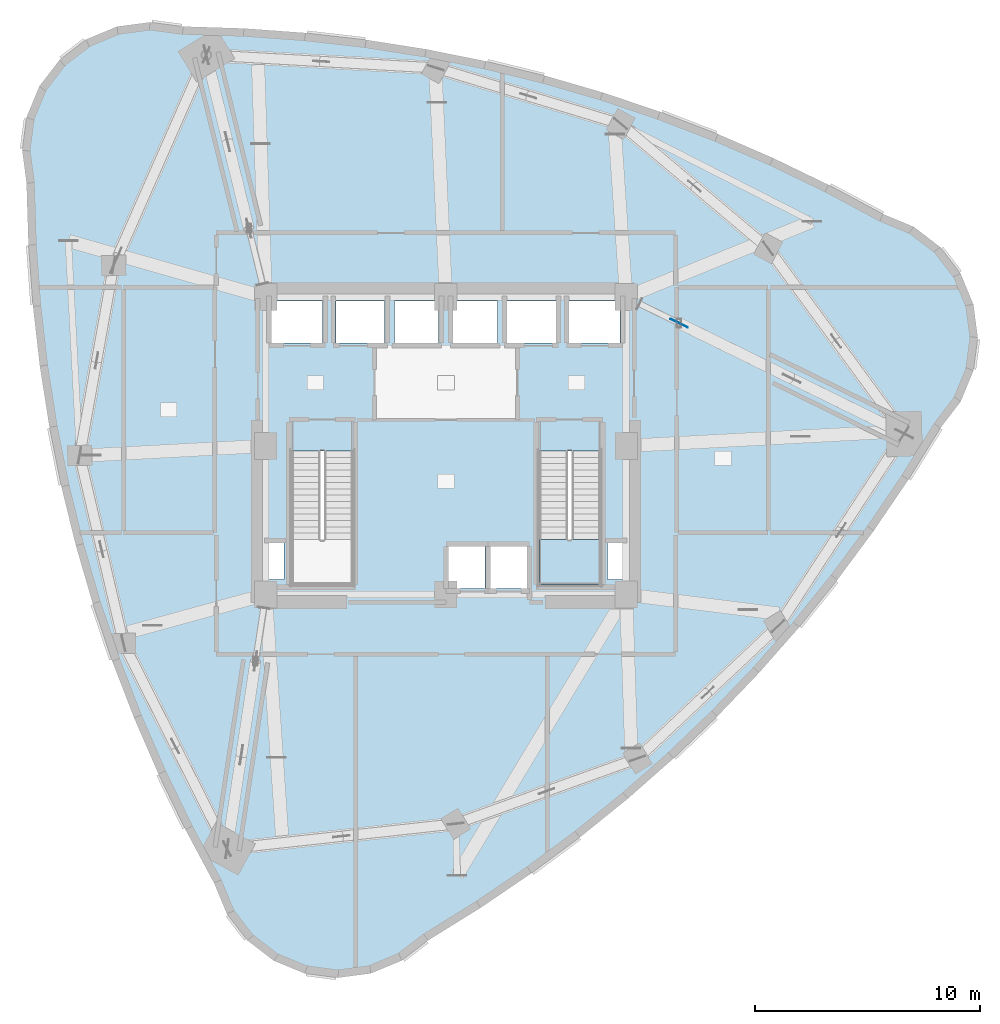
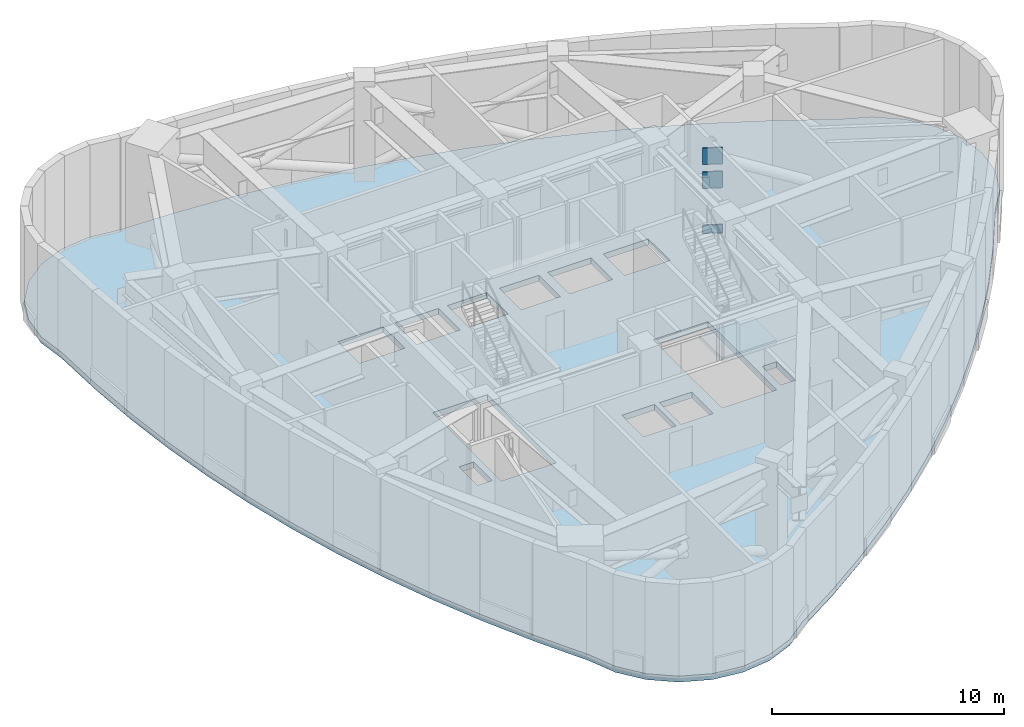
# One storey, part 5 of 12: 3 plates, 2 slabs, 1 element without a shape of its own.
"""IFC4 building model written with IfcOpenShell, lengths in metres."""

from ifc_helpers import new_model, si_unit, direction, frame, origin, origin_2d, place, context, subcontext, project, spatial, polyline, rectangle, outline, extrude, material, layer, layer_set, type_object, element, aggregate, save


model = new_model("IFC4")

# Units and contexts
model_context = context("Model", 3, precision=1e-05, world=origin(), true_north=direction((0.0, 1.0)))
body_context = subcontext(model_context, "Body", "Model", "MODEL_VIEW")
ifc_project = project(units=[si_unit("LENGTHUNIT", "METRE"), si_unit("AREAUNIT", "SQUARE_METRE"), si_unit("VOLUMEUNIT", "CUBIC_METRE"), si_unit("PLANEANGLEUNIT", "RADIAN"), si_unit("MASSUNIT", "GRAM", prefix="KILO")], contexts=[model_context])

# Site, building, storey
site_placement = place(None, origin())
site = spatial("IfcSite", under=ifc_project, at=site_placement, CompositionType="ELEMENT")
building_placement = place(site_placement, origin())
building = spatial("IfcBuilding", under=site, at=building_placement, Name="Ndelora Gate Hotel", CompositionType="ELEMENT")
storey_placement = place(building_placement, frame((0.0, 0.0, 168.5)))
storey = spatial("IfcBuildingStorey", under=building, at=storey_placement, Name="L42", CompositionType="ELEMENT", Elevation=168.5)

# Plates
ifc_material_1 = material(Name="Steel S460", Category="steel")
ifc_layer_1 = layer(ifc_material_1, 0.035888671875)
ifc_layer_set_1 = layer_set([ifc_layer_1], Name="Steel S460")
plate_type = type_object("IfcPlateType", Name="PL-NODE-ON1", PredefinedType="USERDEFINED", material=ifc_layer_set_1)
for number, where, z_axis, x_axis, name in (
    (1, (10.35009765625, 5.44482421875, 2.3701171875), (0.0, 0.0, 1.0), (-0.897412429623, 0.441192623644, 0.0), "Node gusset cap plate ON1"),
    (2, (10.35009765625, 5.44482421875, -0.43017578125), (0.0, 0.0, 1.0), (-0.897412429623, 0.441192623644, 0.0), "Node gusset cap plate ON1"),
    (3, (10.35009765625, 5.44482421875, 3.6298828125), (0.0, 0.0, 1.0), (-0.897412429623, 0.441192623644, 0.0), "Node gusset cap plate ON1"),
):
    element("IfcPlate", number, at=place(storey_placement, frame(where, z_axis=z_axis, x_axis=x_axis)), inside=storey, type_object=plate_type, Name=name, ObjectType="GUSSET_PLATE", PredefinedType="USERDEFINED", context=body_context, shape_type="SweptSolid", body=[
        extrude(rectangle(XDim=0.860107421875, YDim=0.035888671875, at=origin_2d()), origin(), (0.0, 0.0, 1.0), 0.860107421875),
    ])

# Stair, slab
ifc_material_2 = material(Name="Precast concrete C40/50", Category="concrete")
stair_type = type_object("IfcStairType", Name="STR-DOG-CORE", PredefinedType="HALF_TURN_STAIR", material=ifc_material_2)
stair_placement = place(storey_placement, origin())
stair = element("IfcStair", 4, at=stair_placement, inside=storey, type_object=stair_type, Name="L42 Protected Core Exit Stair ST5", PredefinedType="HALF_TURN_STAIR")
ifc_layer_2 = layer(ifc_material_2, 0.219970703125)
ifc_layer_set_2 = layer_set([ifc_layer_2], Name="Precast concrete C40/50")
slab_type_1 = type_object("IfcSlabType", Name="SL-LAND-220", PredefinedType="LANDING", material=ifc_layer_set_2)
slab_1_placement = place(storey_placement, frame((0.0, 0.0, 2.425048828125)))
slab_1 = element("IfcSlab", 5, at=slab_1_placement, type_object=slab_type_1, Name="ST5 landing 1", PredefinedType="LANDING", context=body_context, shape_type="SweptSolid", body=[
    extrude(outline(polyline([(4.1298828125, -4.14990234375), (4.1298828125, -6.14990234375), (6.85009765625, -6.14990234375), (6.85009765625, -4.14990234375), (4.1298828125, -4.14990234375)])), origin(), (0.0, 0.0, 1.0), 0.199951171875),
])
aggregate(stair, [slab_1])

# Slab
ifc_material_3 = material(Name="Concrete C50/60", Category="concrete")
ifc_layer_3 = layer(ifc_material_3, 0.31005859375)
ifc_layer_set_3 = layer_set([ifc_layer_3], Name="Concrete C50/60")
slab_type_2 = type_object("IfcSlabType", Name="SL-PLT-310", PredefinedType="FLOOR", material=ifc_layer_set_3)
slab_2_placement = place(storey_placement, frame((0.0, 0.0, -0.31005859375)))
element("IfcSlab", 6, at=slab_2_placement, inside=storey, type_object=slab_type_2, Name="L42 Structural Floor Slab", PredefinedType="FLOOR", context=body_context, shape_type="SweptSolid", body=[
    extrude(outline(polyline([(-11.70068359375, 18.436767578125), (-13.1240234375, 18.6240234375), (-14.547607421875, 18.436767578125), (-15.8740234375, 17.88720703125), (-17.01318359375, 17.01318359375), (-17.88720703125, 15.8740234375), (-18.436767578125, 14.547607421875), (-18.6240234375, 13.1240234375), (-18.436767578125, 11.70068359375), (-18.348388671875, 8.95068359375), (-18.150146484375, 6.23046875), (-17.841796875, 3.539794921875), (-17.42333984375, 0.87841796875), (-16.89501953125, -1.753662109375), (-16.256591796875, -4.35595703125), (-15.50830078125, -6.928955078125), (-14.64990234375, -9.472412109375), (-13.681640625, -11.986328125), (-12.603271484375, -14.470703125), (-11.414794921875, -16.92578125), (-10.116455078125, -19.351318359375), (-9.56689453125, -20.677978515625), (-8.69287109375, -21.81689453125), (-7.5537109375, -22.69091796875), (-6.227294921875, -23.240478515625), (-4.8037109375, -23.427978515625), (-3.38037109375, -23.240478515625), (-2.0537109375, -22.69091796875), (-0.914794921875, -21.81689453125), (1.422607421875, -20.365478515625), (3.67919921875, -18.833740234375), (5.85546875, -17.22119140625), (7.950927734375, -15.5283203125), (9.96630859375, -13.7548828125), (11.900634765625, -11.900634765625), (13.7548828125, -9.96630859375), (15.5283203125, -7.950927734375), (17.22119140625, -5.85546875), (18.833740234375, -3.67919921875), (20.365478515625, -1.422607421875), (21.81689453125, 0.914794921875), (22.69091796875, 2.0537109375), (23.240478515625, 3.38037109375), (23.427978515625, 4.8037109375), (23.240478515625, 6.227294921875), (22.69091796875, 7.5537109375), (21.81689453125, 8.69287109375), (20.677978515625, 9.56689453125), (19.351318359375, 10.116455078125), (16.92578125, 11.414794921875), (14.470703125, 12.603271484375), (11.986328125, 13.681640625), (9.472412109375, 14.64990234375), (6.928955078125, 15.50830078125), (4.35595703125, 16.256591796875), (1.753662109375, 16.89501953125), (-0.87841796875, 17.42333984375), (-3.539794921875, 17.841796875), (-6.23046875, 18.150146484375), (-8.95068359375, 18.348388671875), (-11.70068359375, 18.436767578125)]), holes=[polyline([(-6.85009765625, -0.22998046875), (-6.85009765625, -6.14990234375), (-4.1298828125, -6.14990234375), (-4.1298828125, -0.22998046875), (-6.85009765625, -0.22998046875)]), polyline([(4.1298828125, -0.22998046875), (4.1298828125, -6.14990234375), (6.85009765625, -6.14990234375), (6.85009765625, -0.22998046875), (4.1298828125, -0.22998046875)]), polyline([(-7.72998046875, 4.570068359375), (-5.469970703125, 4.570068359375), (-5.469970703125, 6.429931640625), (-7.72998046875, 6.429931640625), (-7.72998046875, 4.570068359375)]), polyline([(5.469970703125, 4.570068359375), (7.72998046875, 4.570068359375), (7.72998046875, 6.429931640625), (5.469970703125, 6.429931640625), (5.469970703125, 4.570068359375)]), polyline([(-4.8798828125, 4.570068359375), (-2.719970703125, 4.570068359375), (-2.719970703125, 6.429931640625), (-4.8798828125, 6.429931640625), (-4.8798828125, 4.570068359375)]), polyline([(2.719970703125, 4.570068359375), (4.8798828125, 4.570068359375), (4.8798828125, 6.429931640625), (2.719970703125, 6.429931640625), (2.719970703125, 4.570068359375)]), polyline([(0.1201171875, -6.330078125), (1.739990234375, -6.330078125), (1.739990234375, -4.469970703125), (0.1201171875, -4.469970703125), (0.1201171875, -6.330078125)]), polyline([(1.97998046875, -6.330078125), (3.60009765625, -6.330078125), (3.60009765625, -4.469970703125), (1.97998046875, -4.469970703125), (1.97998046875, -6.330078125)]), polyline([(-2.280029296875, 4.570068359375), (-0.320068359375, 4.570068359375), (-0.320068359375, 6.429931640625), (-2.280029296875, 6.429931640625), (-2.280029296875, 4.570068359375)]), polyline([(0.320068359375, 4.570068359375), (2.280029296875, 4.570068359375), (2.280029296875, 6.429931640625), (0.320068359375, 6.429931640625), (0.320068359375, 4.570068359375)]), polyline([(-7.89990234375, -5.919921875), (-7.179931640625, -5.919921875), (-7.179931640625, -4.320068359375), (-7.89990234375, -4.320068359375), (-7.89990234375, -5.919921875)]), polyline([(7.179931640625, -5.919921875), (7.89990234375, -5.919921875), (7.89990234375, -4.320068359375), (7.179931640625, -4.320068359375), (7.179931640625, -5.919921875)])]), origin(), (0.0, 0.0, 1.0), 0.31005859375),
])

save(model, "model.ifc")
